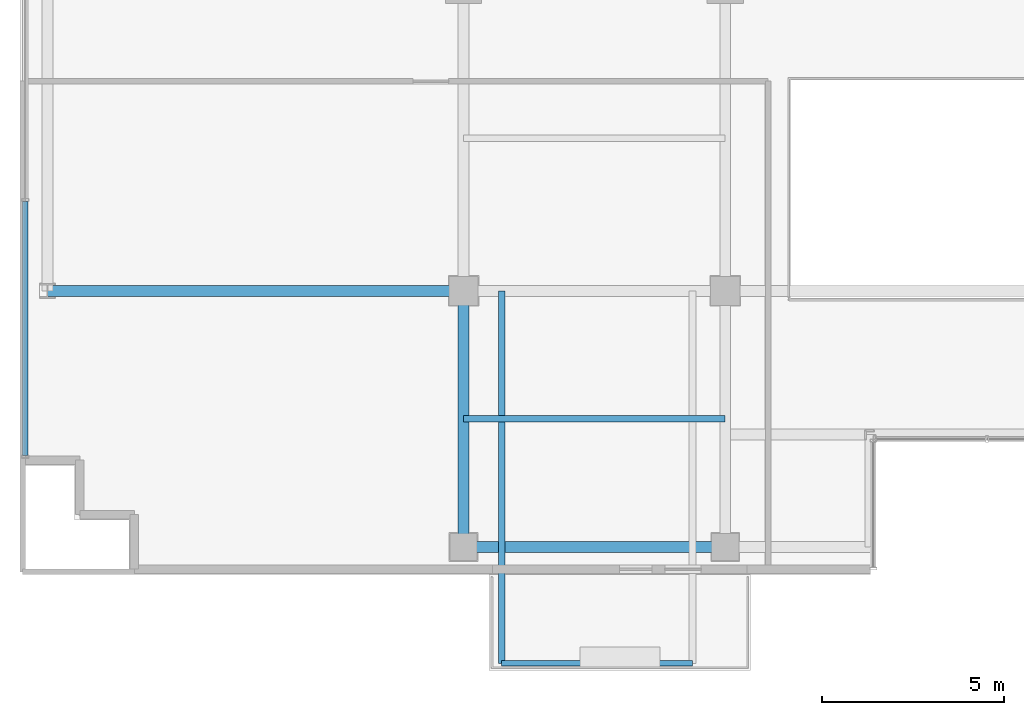
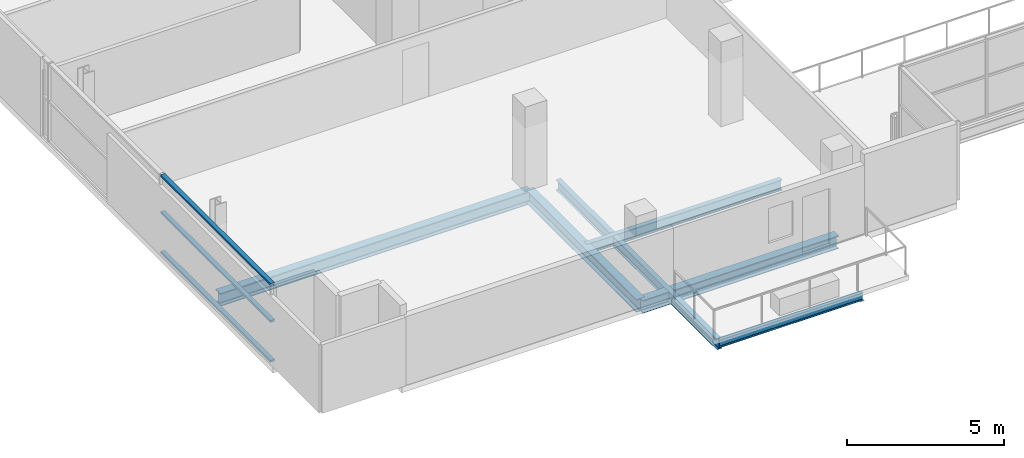
# One storey, part 3 of 25: 6 beams, 3 members, 1 element without a shape of its own.
"""IFC4 building model written with IfcOpenShell, lengths in metres."""

from ifc_helpers import new_model, si_unit, direction, frame, origin, origin_2d, place, context, subcontext, project, spatial, hollow_rectangle, i_section, extrude, source, transform, mapped, material, layer, layer_set, material_profile, profile_set, type_object, element, aggregate, save


model = new_model("IFC4")

# Units and contexts
model_context = context("Model", 3, precision=1e-05, world=origin(), true_north=direction((0.0, 1.0)))
body_context = subcontext(model_context, "Body", "Model", "MODEL_VIEW")
ifc_project = project(units=[si_unit("LENGTHUNIT", "METRE"), si_unit("AREAUNIT", "SQUARE_METRE"), si_unit("VOLUMEUNIT", "CUBIC_METRE"), si_unit("PLANEANGLEUNIT", "RADIAN"), si_unit("MASSUNIT", "GRAM", prefix="KILO")], contexts=[model_context])

# Site, building, storey
site_placement = place(None, origin())
site = spatial("IfcSite", under=ifc_project, at=site_placement, CompositionType="ELEMENT")
building_placement = place(site_placement, origin())
building = spatial("IfcBuilding", under=site, at=building_placement, Name="Zarnakvel Exchange Tower", CompositionType="ELEMENT")
storey_placement = place(building_placement, frame((0.0, 0.0, 156.10009765625)))
storey = spatial("IfcBuildingStorey", under=building, at=storey_placement, Name="L43", CompositionType="ELEMENT", Elevation=156.10009765625)

# Beams
ifc_material_1 = material(Name="Steel S355", Category="steel")
ifc_material_profile_1 = material_profile(ifc_material_1, i_section(OverallWidth=0.179931640625, OverallDepth=0.39990234375, WebThickness=0.008544921875, FlangeThickness=0.013427734375, FilletRadius=0.02099609375, at=origin_2d()))
ifc_profile_set_1 = profile_set([ifc_material_profile_1], Name="Steel S355")
beam_type_1 = type_object("IfcBeamType", Name="B-06", PredefinedType="JOIST", material=ifc_profile_set_1)
beam_1_placement = place(storey_placement, frame((-14.39990234375, -13.125, -0.425048828125), z_axis=(1.0, 0.0, 0.0), x_axis=(0.0, 1.0, 0.0)))
element("IfcBeam", 1, at=beam_1_placement, inside=storey, type_object=beam_type_1, Name="L43 Composite Floor Secondary Joist", PredefinedType="JOIST", context=body_context, shape_type="SweptSolid", body=[
    extrude(i_section(OverallWidth=0.179931640625, OverallDepth=0.39990234375, WebThickness=0.008544921875, FlangeThickness=0.013427734375, FilletRadius=0.02099609375, at=origin_2d()), origin(), (0.0, 0.0, 1.0), 7.199951171875),
])
beam_2_placement = place(storey_placement, frame((-13.35009765625, -9.60009765625, -0.425048828125), z_axis=(0.0, -1.0, 0.0), x_axis=(1.0, 0.0, 0.0)))
element("IfcBeam", 2, at=beam_2_placement, inside=storey, type_object=beam_type_1, Name="L43 Continuous Back-Spanned Balcony Beam W", PredefinedType="JOIST", context=body_context, shape_type="SweptSolid", body=[
    extrude(i_section(OverallWidth=0.179931640625, OverallDepth=0.39990234375, WebThickness=0.008544921875, FlangeThickness=0.013427734375, FilletRadius=0.02099609375, at=origin_2d()), origin(), (0.0, 0.0, 1.0), 10.25),
])
ifc_material_profile_2 = material_profile(ifc_material_1, i_section(OverallWidth=0.14990234375, OverallDepth=0.300048828125, WebThickness=0.007080078125, FlangeThickness=0.0107421875, FilletRadius=0.014892578125, at=origin_2d()))
ifc_profile_set_2 = profile_set([ifc_material_profile_2], Name="Steel S355")
beam_type_2 = type_object("IfcBeamType", Name="B-08", PredefinedType="JOIST", material=ifc_profile_set_2)
beam_3_placement = place(storey_placement, frame((-13.35009765625, -19.85009765625, -0.375), z_axis=(1.0, 0.0, 0.0), x_axis=(0.0, 1.0, 0.0)))
element("IfcBeam", 3, at=beam_3_placement, inside=storey, type_object=beam_type_2, Name="L43 Balcony Edge Beam", PredefinedType="JOIST", context=body_context, shape_type="SweptSolid", body=[
    extrude(i_section(OverallWidth=0.14990234375, OverallDepth=0.300048828125, WebThickness=0.007080078125, FlangeThickness=0.0107421875, FilletRadius=0.014892578125, at=origin_2d()), origin(), (0.0, 0.0, 1.0), 5.25),
])
ifc_material_profile_3 = material_profile(ifc_material_1, i_section(OverallWidth=0.300048828125, OverallDepth=0.5, WebThickness=0.014404296875, FlangeThickness=0.028076171875, FilletRadius=0.027099609375, at=origin_2d()))
ifc_profile_set_3 = profile_set([ifc_material_profile_3], Name="Steel S355")
beam_type_3 = type_object("IfcBeamType", Name="G-06", PredefinedType="BEAM", material=ifc_profile_set_3)
beam_4_placement = place(storey_placement, frame((-25.85009765625, -9.60009765625, -0.47509765625), z_axis=(1.0, 0.0, 0.0), x_axis=(0.0, 1.0, 0.0)))
element("IfcBeam", 4, at=beam_4_placement, inside=storey, type_object=beam_type_3, Name="L43 Tower E-W Frame Beam", PredefinedType="BEAM", context=body_context, shape_type="SweptSolid", body=[
    extrude(i_section(OverallWidth=0.300048828125, OverallDepth=0.5, WebThickness=0.014404296875, FlangeThickness=0.028076171875, FilletRadius=0.027099609375, at=origin_2d()), origin(), (0.0, 0.0, 1.0), 11.4501953125),
])
beam_5_placement = place(storey_placement, frame((-14.39990234375, -16.64990234375, -0.47509765625), z_axis=(0.0, 1.0, 0.0), x_axis=(-1.0, 0.0, 0.0)))
element("IfcBeam", 5, at=beam_5_placement, inside=storey, type_object=beam_type_3, Name="L43 Tower N-S Frame Beam", PredefinedType="BEAM", context=body_context, shape_type="SweptSolid", body=[
    extrude(i_section(OverallWidth=0.300048828125, OverallDepth=0.5, WebThickness=0.014404296875, FlangeThickness=0.028076171875, FilletRadius=0.027099609375, at=origin_2d()), origin(), (0.0, 0.0, 1.0), 7.0498046875),
])
ifc_material_profile_4 = material_profile(ifc_material_1, i_section(OverallWidth=0.300048828125, OverallDepth=0.5, WebThickness=0.014404296875, FlangeThickness=0.028076171875, FilletRadius=0.027099609375, at=origin_2d()))
ifc_profile_set_4 = profile_set([ifc_material_profile_4], Name="Steel S355")
beam_type_4 = type_object("IfcBeamType", Name="SP-02", PredefinedType="SPANDREL", material=ifc_profile_set_4)
beam_6_placement = place(storey_placement, frame((-14.39990234375, -16.64990234375, -0.47509765625), z_axis=(1.0, 0.0, 0.0), x_axis=(0.0, 1.0, 0.0)))
element("IfcBeam", 6, at=beam_6_placement, inside=storey, type_object=beam_type_4, Name="L43 Tower E-W Frame Beam", PredefinedType="SPANDREL", context=body_context, shape_type="SweptSolid", body=[
    extrude(i_section(OverallWidth=0.300048828125, OverallDepth=0.5, WebThickness=0.014404296875, FlangeThickness=0.028076171875, FilletRadius=0.027099609375, at=origin_2d()), origin(), (0.0, 0.0, 1.0), 7.199951171875),
])

# Curtain wall, members
ifc_material_2 = material(Name="Architectural Bronze Anodised Aluminium", Category="aluminium")
ifc_layer = layer(ifc_material_2, 0.199951171875)
ifc_layer_set = layer_set([ifc_layer], Name="Architectural Bronze Anodised Aluminium")
curtain_wall_type = type_object("IfcCurtainWallType", Name="CW-04", PredefinedType="NOTDEFINED", material=ifc_layer_set)
curtain_wall_placement = place(storey_placement, origin())
curtain_wall = element("IfcCurtainWall", 7, at=curtain_wall_placement, inside=storey, type_object=curtain_wall_type, Name="L43 Curtain Wall CW-L43-W1 (CW-04)", PredefinedType="NOTDEFINED")
ifc_material_profile_5 = material_profile(ifc_material_2, hollow_rectangle(XDim=0.159912109375, YDim=0.074951171875, WallThickness=0.00390625, at=origin_2d()))
ifc_profile_set_5 = profile_set([ifc_material_profile_5], Name="Architectural Bronze Anodised Aluminium")
member_type = type_object("IfcMemberType", Name="CWT-04", PredefinedType="USERDEFINED", material=ifc_profile_set_5)
shared_shape = source(origin(), body_context, "Body", "SweptSolid", [
    extrude(hollow_rectangle(XDim=0.159912109375, YDim=0.074951171875, WallThickness=0.00390625, at=origin_2d()), origin(), (0.0, 0.0, 1.0), 6.987548828125),
])
member_1_placement = place(storey_placement, frame((-26.4599609375, -14.125, 0.037353515625), z_axis=(0.0, 1.0, 0.0), x_axis=(-1.0, 0.0, 0.0)))
member_1 = element("IfcMember", 8, at=member_1_placement, type_object=member_type, Name="CW-04 transom 1.1", ObjectType="TRANSOM", PredefinedType="USERDEFINED", context=body_context, shape_type="MappedRepresentation", body=[
    mapped(shared_shape, transform((0.0, 0.0, 0.0), x_axis=(1.0, 0.0, 0.0), y_axis=(0.0, 1.0, 0.0), z_axis=(0.0, 0.0, 1.0), scale=1.0)),
])
member_2_placement = place(storey_placement, frame((-26.4599609375, -14.125, 1.588623046875), z_axis=(0.0, 1.0, 0.0), x_axis=(-1.0, 0.0, 0.0)))
member_2 = element("IfcMember", 9, at=member_2_placement, type_object=member_type, Name="CW-04 transom 1.2", ObjectType="TRANSOM", PredefinedType="USERDEFINED", context=body_context, shape_type="MappedRepresentation", body=[
    mapped(shared_shape, transform((0.0, 0.0, 0.0), x_axis=(1.0, 0.0, 0.0), y_axis=(0.0, 1.0, 0.0), z_axis=(0.0, 0.0, 1.0), scale=1.0)),
])
member_3_placement = place(storey_placement, frame((-26.4599609375, -14.125, 3.017333984375), z_axis=(0.0, 1.0, 0.0), x_axis=(-1.0, 0.0, 0.0)))
member_3 = element("IfcMember", 10, at=member_3_placement, type_object=member_type, Name="CW-04 transom 1.3", ObjectType="TRANSOM", PredefinedType="USERDEFINED", context=body_context, shape_type="MappedRepresentation", body=[
    mapped(shared_shape, transform((0.0, 0.0, 0.0), x_axis=(1.0, 0.0, 0.0), y_axis=(0.0, 1.0, 0.0), z_axis=(0.0, 0.0, 1.0), scale=1.0)),
])
aggregate(curtain_wall, [member_1, member_2, member_3])

save(model, "model.ifc")
